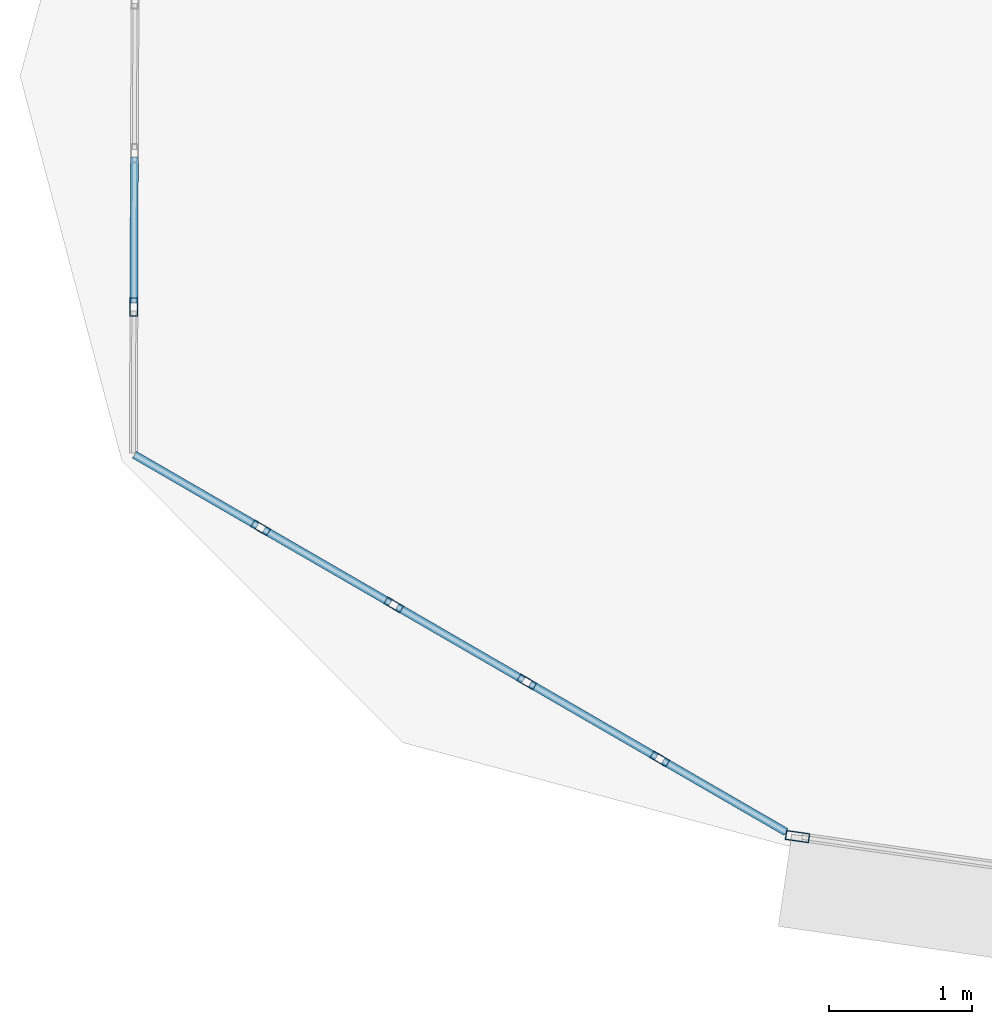
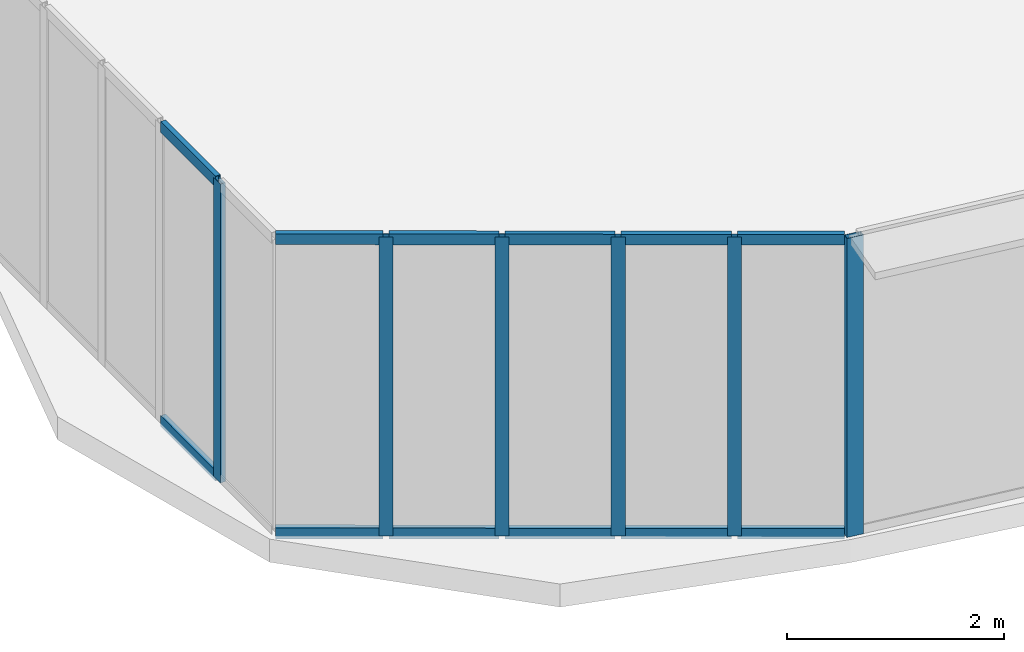
# One storey, part 2 of 42: 18 members, 3 elements without a shape of their own.
"""IFC4 building model written with IfcOpenShell, lengths in metres."""

from ifc_helpers import new_model, si_unit, direction, frame, origin, origin_2d, place, context, subcontext, project, spatial, hollow_rectangle, extrude, source, transform, mapped, material, layer, layer_set, material_profile, profile_set, type_object, element, aggregate, save


model = new_model("IFC4")

# Units and contexts
model_context = context("Model", 3, precision=1e-05, world=origin(), true_north=direction((0.0, 1.0)))
body_context = subcontext(model_context, "Body", "Model", "MODEL_VIEW")
ifc_project = project(units=[si_unit("LENGTHUNIT", "METRE"), si_unit("AREAUNIT", "SQUARE_METRE"), si_unit("VOLUMEUNIT", "CUBIC_METRE"), si_unit("PLANEANGLEUNIT", "RADIAN"), si_unit("MASSUNIT", "GRAM", prefix="KILO"), si_unit("THERMODYNAMICTEMPERATUREUNIT", "KELVIN"), si_unit("POWERUNIT", "WATT")], contexts=[model_context])

# Site, building, storey
site_placement = place(None, origin())
site = spatial("IfcSite", under=ifc_project, at=site_placement, CompositionType="ELEMENT")
building_placement = place(site_placement, origin())
building = spatial("IfcBuilding", under=site, at=building_placement, Name="Yunzhuo Pagoda Commons", CompositionType="ELEMENT")
storey_placement = place(building_placement, frame((0.0, 0.0, 48.550048828125)))
storey = spatial("IfcBuildingStorey", under=building, at=storey_placement, Name="L12", CompositionType="ELEMENT", Elevation=48.550048828125)

# Curtain wall, member
ifc_material = material(Name="Anodized aluminium 6063-T6", Category="aluminium")
ifc_layer_1 = layer(ifc_material, 0.1650390625)
ifc_layer_set_1 = layer_set([ifc_layer_1], Name="Anodized aluminium 6063-T6")
curtain_wall_type_1 = type_object("IfcCurtainWallType", Name="CW-LOW Low-Zone Ribbon Curtain Wall", PredefinedType="NOTDEFINED", material=ifc_layer_set_1)
curtain_wall_1_placement = place(storey_placement, origin())
curtain_wall_1 = element("IfcCurtainWall", 1, at=curtain_wall_1_placement, inside=storey, type_object=curtain_wall_type_1, Name="L12 curtain wall CW-L12-F1B1", PredefinedType="NOTDEFINED")
ifc_material_profile_1 = material_profile(ifc_material, hollow_rectangle(XDim=0.06494140625, YDim=0.1650390625, WallThickness=0.00390625, at=origin_2d()), Name="Anodized aluminium 6063-T6")
ifc_profile_set_1 = profile_set([ifc_material_profile_1], Name="Anodized aluminium 6063-T6")
member_type_1 = type_object("IfcMemberType", Name="CW-LOW-M Mullion RHS 165x65x4", PredefinedType="MULLION", material=ifc_profile_set_1)
shared_shape_1 = source(origin(), body_context, "Body", "SweptSolid", [
    extrude(hollow_rectangle(XDim=0.06494140625, YDim=0.1650390625, WallThickness=0.00390625, at=origin_2d()), origin(), (0.0, 0.0, 1.0), 3.369873046875),
])
member_1_placement = place(storey_placement, frame((9.364013671875, 14.39697265625, 0.0), z_axis=(0.0, 0.0, 1.0), x_axis=(0.141492753346, 0.989939291447, 0.0)))
member_1 = element("IfcMember", 2, at=member_1_placement, type_object=member_type_1, Name="CW mullion 1", PredefinedType="MULLION", context=body_context, shape_type="MappedRepresentation", body=[
    mapped(shared_shape_1, transform((0.0, 0.0, 0.0), scale=1.0)),
])
aggregate(curtain_wall_1, [member_1])

ifc_layer_2 = layer(ifc_material, 0.1298828125)
ifc_layer_set_2 = layer_set([ifc_layer_2], Name="Anodized aluminium 6063-T6")
curtain_wall_type_2 = type_object("IfcCurtainWallType", Name="CW-VTX Rounded Corner Curtain Wall", PredefinedType="NOTDEFINED", material=ifc_layer_set_2)
curtain_wall_2_placement = place(storey_placement, origin())
curtain_wall_2 = element("IfcCurtainWall", 3, at=curtain_wall_2_placement, inside=storey, type_object=curtain_wall_type_2, Name="L12 curtain wall CW-L12-VTX1S1", PredefinedType="NOTDEFINED")
ifc_material_profile_2 = material_profile(ifc_material, hollow_rectangle(XDim=0.054931640625, YDim=0.1298828125, WallThickness=0.00341796875, at=origin_2d()), Name="Anodized aluminium 6063-T6")
ifc_profile_set_2 = profile_set([ifc_material_profile_2], Name="Anodized aluminium 6063-T6")
member_type_2 = type_object("IfcMemberType", Name="CW-VTX-M Mullion RHS 130x55x3.5", PredefinedType="MULLION", material=ifc_profile_set_2)
shared_shape_2 = source(origin(), body_context, "Body", "SweptSolid", [
    extrude(hollow_rectangle(XDim=0.054931640625, YDim=0.1298828125, WallThickness=0.00341796875, at=origin_2d()), origin(), (0.0, 0.0, 1.0), 3.369873046875),
])
member_2_placement = place(storey_placement, frame((4.733154296875, 18.092529296875, 0.0), z_axis=(0.0, 0.0, 1.0), x_axis=(0.999993595138, -0.003579061808, 0.0)))
member_2 = element("IfcMember", 4, at=member_2_placement, type_object=member_type_2, Name="CW mullion 5", PredefinedType="MULLION", context=body_context, shape_type="MappedRepresentation", body=[
    mapped(shared_shape_2, transform((0.0, 0.0, 0.0), scale=1.0)),
])

# Curtain wall, members
curtain_wall_3_placement = place(storey_placement, origin())
curtain_wall_3 = element("IfcCurtainWall", 5, at=curtain_wall_3_placement, inside=storey, type_object=curtain_wall_type_2, Name="L12 curtain wall CW-L12-VTX1S2", PredefinedType="NOTDEFINED")
member_3_placement = place(storey_placement, frame((5.617919921875, 16.551513671875, 0.0), z_axis=(0.0, 0.0, 1.0), x_axis=(0.501041414295, 0.865423307498, 0.0)))
member_3 = element("IfcMember", 6, at=member_3_placement, type_object=member_type_2, Name="CW mullion 2", PredefinedType="MULLION", context=body_context, shape_type="MappedRepresentation", body=[
    mapped(shared_shape_2, transform((0.0, 0.0, 0.0), scale=1.0)),
])
member_4_placement = place(storey_placement, frame((6.54638671875, 16.013916015625, 0.0), z_axis=(0.0, 0.0, 1.0), x_axis=(0.501041414295, 0.865423307498, 0.0)))
member_4 = element("IfcMember", 7, at=member_4_placement, type_object=member_type_2, Name="CW mullion 3", PredefinedType="MULLION", context=body_context, shape_type="MappedRepresentation", body=[
    mapped(shared_shape_2, transform((0.0, 0.0, 0.0), scale=1.0)),
])
member_5_placement = place(storey_placement, frame((7.47509765625, 15.476318359375, 0.0), z_axis=(0.0, 0.0, 1.0), x_axis=(0.501041414295, 0.865423307498, 0.0)))
member_5 = element("IfcMember", 8, at=member_5_placement, type_object=member_type_2, Name="CW mullion 4", PredefinedType="MULLION", context=body_context, shape_type="MappedRepresentation", body=[
    mapped(shared_shape_2, transform((0.0, 0.0, 0.0), scale=1.0)),
])
member_6_placement = place(storey_placement, frame((8.4033203125, 14.93896484375, 0.0), z_axis=(0.0, 0.0, 1.0), x_axis=(0.501041414295, 0.865423307498, 0.0)))
member_6 = element("IfcMember", 9, at=member_6_placement, type_object=member_type_2, Name="CW mullion 5", PredefinedType="MULLION", context=body_context, shape_type="MappedRepresentation", body=[
    mapped(shared_shape_2, transform((0.0, 0.0, 0.0), scale=1.0)),
])

# Member
ifc_material_profile_3 = material_profile(ifc_material, hollow_rectangle(XDim=0.054931640625, YDim=0.1201171875, WallThickness=0.00341796875, at=origin_2d()), Name="Anodized aluminium 6063-T6")
ifc_profile_set_3 = profile_set([ifc_material_profile_3], Name="Anodized aluminium 6063-T6")
member_type_3 = type_object("IfcMemberType", Name="CW-VTX-T Transom RHS 120x55x3.5", PredefinedType="USERDEFINED", material=ifc_profile_set_3)
shared_shape_3 = source(origin(), body_context, "Body", "SweptSolid", [
    extrude(hollow_rectangle(XDim=0.054931640625, YDim=0.1201171875, WallThickness=0.00341796875, at=origin_2d()), origin(), (0.0, 0.0, 1.0), 1.01806640625),
])
member_7_placement = place(storey_placement, frame((4.73681640625, 19.13818359375, 0.02734375), z_axis=(-0.00359709903, -0.999993530418, 0.0), x_axis=(0.999993530418, -0.00359709903, 0.0)))
member_7 = element("IfcMember", 10, at=member_7_placement, type_object=member_type_3, Name="CW transom 4.1", ObjectType="TRANSOM", PredefinedType="USERDEFINED", context=body_context, shape_type="MappedRepresentation", body=[
    mapped(shared_shape_3, transform((0.0, 0.0, 0.0), scale=1.0)),
])

member_8_placement = place(storey_placement, frame((4.73681640625, 19.13818359375, 3.342529296875), z_axis=(-0.00359709903, -0.999993530418, 0.0), x_axis=(0.999993530418, -0.00359709903, 0.0)))
member_8 = element("IfcMember", 11, at=member_8_placement, type_object=member_type_3, Name="CW transom 4.2", ObjectType="TRANSOM", PredefinedType="USERDEFINED", context=body_context, shape_type="MappedRepresentation", body=[
    mapped(shared_shape_3, transform((0.0, 0.0, 0.0), scale=1.0)),
])

aggregate(curtain_wall_2, [member_2, member_7, member_8])

member_9_placement = place(storey_placement, frame((5.6416015625, 16.537841796875, 0.02734375), z_axis=(0.865470064702, -0.500960644268, 0.0), x_axis=(0.500960644268, 0.865470064702, 0.0)))
member_9 = element("IfcMember", 12, at=member_9_placement, type_object=member_type_3, Name="CW transom 2.1", ObjectType="TRANSOM", PredefinedType="USERDEFINED", context=body_context, shape_type="MappedRepresentation", body=[
    mapped(shared_shape_3, transform((0.0, 0.0, 0.0), scale=1.0)),
])

member_10_placement = place(storey_placement, frame((5.6416015625, 16.537841796875, 3.342529296875), z_axis=(0.865470064702, -0.500960644268, 0.0), x_axis=(0.500960644268, 0.865470064702, 0.0)))
member_10 = element("IfcMember", 13, at=member_10_placement, type_object=member_type_3, Name="CW transom 2.2", ObjectType="TRANSOM", PredefinedType="USERDEFINED", context=body_context, shape_type="MappedRepresentation", body=[
    mapped(shared_shape_3, transform((0.0, 0.0, 0.0), scale=1.0)),
])

member_11_placement = place(storey_placement, frame((7.498779296875, 15.462890625, 0.02734375), z_axis=(0.865305848027, -0.501244241235, 0.0), x_axis=(0.501244241235, 0.865305848027, 0.0)))
member_11 = element("IfcMember", 14, at=member_11_placement, type_object=member_type_3, Name="CW transom 4.1", ObjectType="TRANSOM", PredefinedType="USERDEFINED", context=body_context, shape_type="MappedRepresentation", body=[
    mapped(shared_shape_3, transform((0.0, 0.0, 0.0), scale=1.0)),
])

member_12_placement = place(storey_placement, frame((7.498779296875, 15.462890625, 3.342529296875), z_axis=(0.865305848027, -0.501244241235, 0.0), x_axis=(0.501244241235, 0.865305848027, 0.0)))
member_12 = element("IfcMember", 15, at=member_12_placement, type_object=member_type_3, Name="CW transom 4.2", ObjectType="TRANSOM", PredefinedType="USERDEFINED", context=body_context, shape_type="MappedRepresentation", body=[
    mapped(shared_shape_3, transform((0.0, 0.0, 0.0), scale=1.0)),
])

shared_shape_4 = source(origin(), body_context, "Body", "SweptSolid", [
    extrude(hollow_rectangle(XDim=0.054931640625, YDim=0.1201171875, WallThickness=0.00341796875, at=origin_2d()), origin(), (0.0, 0.0, 1.0), 0.990234375),
])
member_13_placement = place(storey_placement, frame((8.42724609375, 14.925048828125, 0.02734375), z_axis=(0.865437539194, -0.501016831807, 0.0), x_axis=(0.501016831807, 0.865437539194, 0.0)))
member_13 = element("IfcMember", 16, at=member_13_placement, type_object=member_type_3, Name="CW transom 5.1", ObjectType="TRANSOM", PredefinedType="USERDEFINED", context=body_context, shape_type="MappedRepresentation", body=[
    mapped(shared_shape_4, transform((0.0, 0.0, 0.0), scale=1.0)),
])

member_14_placement = place(storey_placement, frame((8.42724609375, 14.925048828125, 3.342529296875), z_axis=(0.865437539194, -0.501016831807, 0.0), x_axis=(0.501016831807, 0.865437539194, 0.0)))
member_14 = element("IfcMember", 17, at=member_14_placement, type_object=member_type_3, Name="CW transom 5.2", ObjectType="TRANSOM", PredefinedType="USERDEFINED", context=body_context, shape_type="MappedRepresentation", body=[
    mapped(shared_shape_4, transform((0.0, 0.0, 0.0), scale=1.0)),
])

shared_shape_5 = source(origin(), body_context, "Body", "SweptSolid", [
    extrude(hollow_rectangle(XDim=0.054931640625, YDim=0.1201171875, WallThickness=0.00341796875, at=origin_2d()), origin(), (0.0, 0.0, 1.0), 0.989990234375),
])
member_15_placement = place(storey_placement, frame((4.7373046875, 17.0615234375, 0.02734375), z_axis=(0.86537562756, -0.501123760388, 0.0), x_axis=(0.501123760388, 0.86537562756, 0.0)))
member_15 = element("IfcMember", 18, at=member_15_placement, type_object=member_type_3, Name="CW transom 1.1", ObjectType="TRANSOM", PredefinedType="USERDEFINED", context=body_context, shape_type="MappedRepresentation", body=[
    mapped(shared_shape_5, transform((0.0, 0.0, 0.0), scale=1.0)),
])

member_16_placement = place(storey_placement, frame((4.7373046875, 17.0615234375, 3.342529296875), z_axis=(0.86537562756, -0.501123760388, 0.0), x_axis=(0.501123760388, 0.86537562756, 0.0)))
member_16 = element("IfcMember", 19, at=member_16_placement, type_object=member_type_3, Name="CW transom 1.2", ObjectType="TRANSOM", PredefinedType="USERDEFINED", context=body_context, shape_type="MappedRepresentation", body=[
    mapped(shared_shape_5, transform((0.0, 0.0, 0.0), scale=1.0)),
])

shared_shape_6 = source(origin(), body_context, "Body", "SweptSolid", [
    extrude(hollow_rectangle(XDim=0.054931640625, YDim=0.1201171875, WallThickness=0.00341796875, at=origin_2d()), origin(), (0.0, 0.0, 1.0), 1.017578125),
])
member_17_placement = place(storey_placement, frame((6.570556640625, 16.000244140625, 0.02734375), z_axis=(0.86534962412, -0.501168662264, 0.0), x_axis=(0.501168662264, 0.86534962412, 0.0)))
member_17 = element("IfcMember", 20, at=member_17_placement, type_object=member_type_3, Name="CW transom 3.1", ObjectType="TRANSOM", PredefinedType="USERDEFINED", context=body_context, shape_type="MappedRepresentation", body=[
    mapped(shared_shape_6, transform((0.0, 0.0, 0.0), scale=1.0)),
])

member_18_placement = place(storey_placement, frame((6.570556640625, 16.000244140625, 3.342529296875), z_axis=(0.86534962412, -0.501168662264, 0.0), x_axis=(0.501168662264, 0.86534962412, 0.0)))
member_18 = element("IfcMember", 21, at=member_18_placement, type_object=member_type_3, Name="CW transom 3.2", ObjectType="TRANSOM", PredefinedType="USERDEFINED", context=body_context, shape_type="MappedRepresentation", body=[
    mapped(shared_shape_6, transform((0.0, 0.0, 0.0), scale=1.0)),
])

aggregate(curtain_wall_3, [member_3, member_4, member_5, member_6, member_15, member_16, member_9, member_10, member_17, member_18, member_11, member_12, member_13, member_14])

save(model, "model.ifc")
